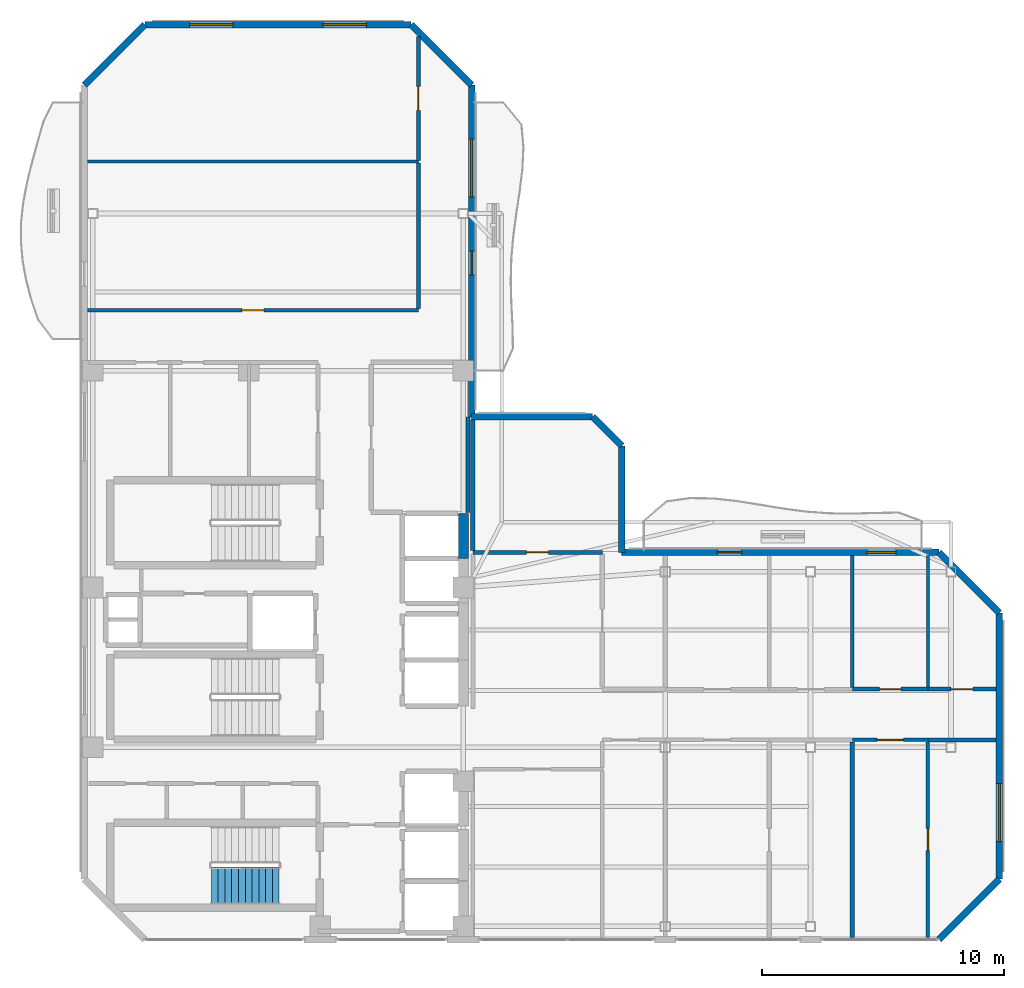
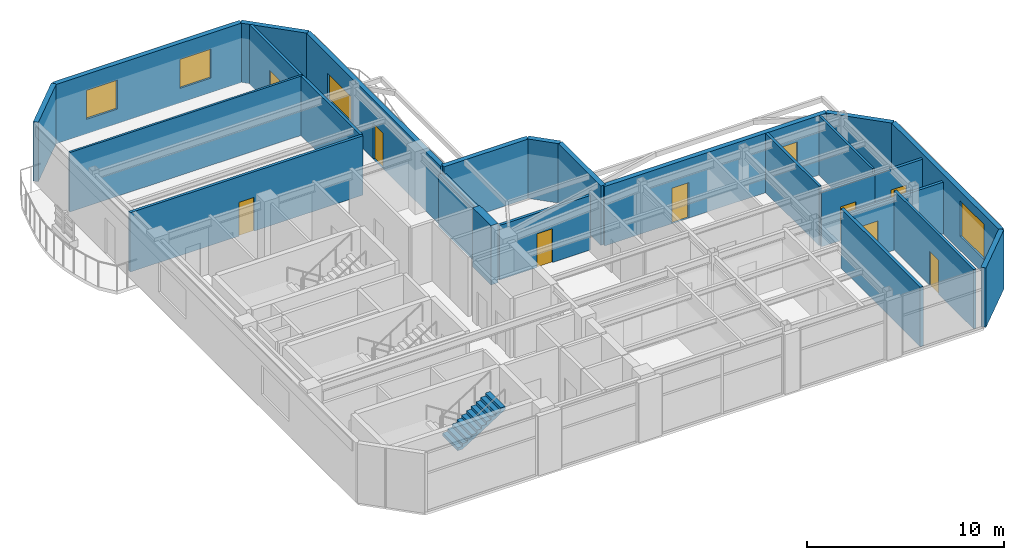
# One storey, part 11 of 15: 27 walls, 9 doors, 5 windows, 1 stair flight, 14 openings, 1 element without a shape of its own.
"""IFC4 building model written with IfcOpenShell, lengths in metres."""

from ifc_helpers import new_model, si_unit, direction, frame, frame_2d, origin, place, context, subcontext, project, spatial, polyline, rectangle, outline, extrude, material, layer, layer_set, type_object, element, fill, aggregate, save


model = new_model("IFC4")

# Units and contexts
model_context = context("Model", 3, precision=1e-05, world=origin(), true_north=direction((0.0, 1.0)))
body_context = subcontext(model_context, "Body", "Model", "MODEL_VIEW")
ifc_project = project(units=[si_unit("LENGTHUNIT", "METRE"), si_unit("AREAUNIT", "SQUARE_METRE"), si_unit("VOLUMEUNIT", "CUBIC_METRE"), si_unit("PLANEANGLEUNIT", "RADIAN"), si_unit("MASSUNIT", "GRAM", prefix="KILO")], contexts=[model_context])

# Site, building, storey
site_placement = place(None, origin())
site = spatial("IfcSite", under=ifc_project, at=site_placement, CompositionType="ELEMENT")
building_placement = place(site_placement, origin())
building = spatial("IfcBuilding", under=site, at=building_placement, Name="Mawjaban Terraces University", CompositionType="ELEMENT")
storey_placement = place(building_placement, frame((0.0, 0.0, 279.39990234375)))
storey = spatial("IfcBuildingStorey", under=building, at=storey_placement, Name="L68", CompositionType="ELEMENT", Elevation=279.39990234375)

# Walls
ifc_material_1 = material(Name="Acoustic masonry blockwork", Category="masonry")
ifc_layer_1 = layer(ifc_material_1, 0.179931640625)
ifc_layer_set_1 = layer_set([ifc_layer_1], Name="Acoustic masonry blockwork")
wall_type_1 = type_object("IfcWallType", Name="AcousticStudioWall_180", PredefinedType="PARTITIONING", material=ifc_layer_set_1)
wall_1_placement = place(storey_placement, frame((37.85009765625, 17.64990234375, 0.0), z_axis=(0.0, 0.0, 1.0), x_axis=(0.0, 1.0, 0.0)))
element("IfcWall", 1, at=wall_1_placement, inside=storey, type_object=wall_type_1, Name="L68 Graduate Research Collaboration Studio Partition 37", PredefinedType="PARTITIONING", context=body_context, shape_type="SweptSolid", body=[
    extrude(rectangle(XDim=3.9501953125, YDim=0.179931640625, at=frame_2d((1.97509765625, 0.0))), origin(), (0.0, 0.0, 1.0), 3.22119140625),
])
wall_2_placement = place(storey_placement, frame((38.050048828125, 21.468017578125, 0.0), z_axis=(0.0, 0.0, 1.0), x_axis=(0.0, -1.0, 0.0)))
element("IfcWall", 2, at=wall_2_placement, inside=storey, type_object=wall_type_1, Name="L68 Terrace Collaborative Study Room Partition 40", PredefinedType="PARTITIONING", context=body_context, shape_type="SweptSolid", body=[
    extrude(rectangle(XDim=5.39306640625, YDim=0.179931640625, at=frame_2d((2.696533203125, 0.0))), origin(), (0.0, 0.0, 1.0), 3.22119140625),
])
wall_3_placement = place(storey_placement, frame((53.72998046875, 0.090087890625, 0.0), z_axis=(0.0, 0.0, 1.0), x_axis=(0.0, 1.0, 0.0)))
element("IfcWall", 3, at=wall_3_placement, inside=storey, type_object=wall_type_1, Name="L68 Design Studio 6 Partition 48", PredefinedType="PARTITIONING", context=body_context, shape_type="SweptSolid", body=[
    extrude(rectangle(XDim=8.074951171875, YDim=0.179931640625, at=frame_2d((4.03759765625, 0.0))), origin(), (0.0, 0.0, 1.0), 3.690185546875),
])
ifc_material_2 = material(Name="Concrete C50/60", Category="concrete")
ifc_layer_2 = layer(ifc_material_2, 0.419921875)
ifc_layer_set_2 = layer_set([ifc_layer_2], Name="Concrete C50/60")
wall_type_2 = type_object("IfcWallType", Name="CoreShearWall_420", PredefinedType="SHEAR", material=ifc_layer_set_2)
wall_4_placement = place(storey_placement, frame((37.659912109375, 15.75, 0.0), z_axis=(0.0, 0.0, 1.0), x_axis=(0.0, 1.0, 0.0)))
element("IfcWall", 4, at=wall_4_placement, inside=storey, type_object=wall_type_2, Name="L68 Lift OL-2 Hoistway Wall East", PredefinedType="SHEAR", context=body_context, shape_type="SweptSolid", body=[
    extrude(rectangle(XDim=1.85009765625, YDim=0.419921875, at=frame_2d((0.925048828125, 0.0))), origin(), (0.0, 0.0, 1.0), 3.690185546875),
])

# Wall, opening, door
ifc_material_3 = material(Name="Fire-rated gypsum board on steel stud", Category="steel")
ifc_layer_3 = layer(ifc_material_3, 0.159912109375)
ifc_layer_set_3 = layer_set([ifc_layer_3], Name="Fire-rated gypsum board on steel stud")
wall_type_3 = type_object("IfcWallType", Name="CorridorPartition_160", PredefinedType="PARTITIONING", material=ifc_layer_set_3)
wall_5_placement = place(storey_placement, frame((35.800048828125, 26.0, 0.0), z_axis=(0.0, 0.0, 1.0), x_axis=(-1.0, 0.0, 0.0)))
wall_5 = element("IfcWall", 5, at=wall_5_placement, inside=storey, type_object=wall_type_3, Name="L68 North Core Cross-Corridor Partition 12", PredefinedType="PARTITIONING", context=body_context, shape_type="SweptSolid", body=[
    extrude(rectangle(XDim=13.6669921875, YDim=0.159912109375, at=frame_2d((6.83349609375, 0.0))), origin(), (0.0, 0.0, 1.0), 3.690185546875),
])
opening_1_placement = place(wall_5_placement, frame((6.383056640625, 0.0, 0.0)))
opening_1 = element("IfcOpeningElement", 6, at=opening_1_placement, cuts=wall_5, Name="Opening ID-090", PredefinedType="OPENING", context=body_context, shape_type="SweptSolid", body=[
    extrude(rectangle(XDim=0.89990234375, YDim=2.10009765625, at=frame_2d((0.449951171875, 1.050048828125))), frame((0.0, 0.08984375, 0.0), z_axis=(0.0, -1.0, 0.0), x_axis=(1.0, 0.0, 0.0)), (0.0, 0.0, 1.0), 0.179931640625),
])
ifc_material_4 = material(Name="Powder-coated steel frame and solid acoustic timber leaf", Category="steel")
door_type_1 = type_object("IfcDoorType", Name="OfficeDoor_900x2100", OperationType="NOTDEFINED", PredefinedType="DOOR", material=ifc_material_4)
door_1_placement = place(opening_1_placement, origin())
door_1 = element("IfcDoor", 7, at=door_1_placement, inside=storey, type_object=door_type_1, Name="L68 Departmental Office 12 Door", OperationType="SINGLE_SWING_LEFT", OverallHeight=2.10009765625, OverallWidth=0.89990234375, PredefinedType="DOOR", context=body_context, shape_type="SweptSolid", body=[
    extrude(rectangle(XDim=0.89990234375, YDim=2.10009765625, at=frame_2d((0.449951171875, 1.050048828125))), frame((0.0, 0.02490234375, 0.0), z_axis=(0.0, -1.0, 0.0), x_axis=(1.0, 0.0, 0.0)), (0.0, 0.0, 1.0), 0.050048828125),
])
fill(opening_1, door_1)

wall_6_placement = place(storey_placement, frame((43.39990234375, 16.0, 0.0), z_axis=(0.0, 0.0, 1.0), x_axis=(-1.0, 0.0, 0.0)))
wall_6 = element("IfcWall", 8, at=wall_6_placement, inside=storey, type_object=wall_type_3, Name="L68 Upper Research Hub Concourse Partition 17", PredefinedType="PARTITIONING", context=body_context, shape_type="SweptSolid", body=[
    extrude(rectangle(XDim=5.349853515625, YDim=0.159912109375, at=frame_2d((2.6748046875, 0.0))), origin(), (0.0, 0.0, 1.0), 3.39013671875),
])
opening_2_placement = place(wall_6_placement, frame((2.22509765625, 0.0, 0.0)))
opening_2 = element("IfcOpeningElement", 9, at=opening_2_placement, cuts=wall_6, Name="Opening ID-090", PredefinedType="OPENING", context=body_context, shape_type="SweptSolid", body=[
    extrude(rectangle(XDim=0.89990234375, YDim=2.10009765625, at=frame_2d((0.449951171875, 1.050048828125))), frame((0.0, 0.08984375, 0.0), z_axis=(0.0, -1.0, 0.0), x_axis=(1.0, 0.0, 0.0)), (0.0, 0.0, 1.0), 0.179931640625),
])
door_2_placement = place(opening_2_placement, origin())
door_2 = element("IfcDoor", 10, at=door_2_placement, inside=storey, type_object=door_type_1, Name="L68 Terrace Collaborative Study Room Door", OperationType="SINGLE_SWING_LEFT", OverallHeight=2.10009765625, OverallWidth=0.89990234375, PredefinedType="DOOR", context=body_context, shape_type="SweptSolid", body=[
    extrude(rectangle(XDim=0.89990234375, YDim=2.10009765625, at=frame_2d((0.449951171875, 1.050048828125))), frame((0.0, 0.02490234375, 0.0), z_axis=(0.0, -1.0, 0.0), x_axis=(1.0, 0.0, 0.0)), (0.0, 0.0, 1.0), 0.050048828125),
])
fill(opening_2, door_2)

# Wall
wall_7_placement = place(storey_placement, frame((56.85009765625, 8.25, 0.0), z_axis=(0.0, 0.0, 1.0), x_axis=(1.0, 0.0, 0.0)))
element("IfcWall", 11, at=wall_7_placement, inside=storey, type_object=wall_type_3, Name="L68 Upper East Research Corridor Partition 24", PredefinedType="PARTITIONING", context=body_context, shape_type="SweptSolid", body=[
    extrude(rectangle(XDim=2.81689453125, YDim=0.159912109375, at=frame_2d((1.408447265625, 0.0))), origin(), (0.0, 0.0, 1.0), 3.22119140625),
])

# Wall, opening, door
wall_8_placement = place(storey_placement, frame((56.85009765625, 10.35009765625, 0.0), z_axis=(0.0, 0.0, 1.0), x_axis=(-1.0, 0.0, 0.0)))
wall_8 = element("IfcWall", 12, at=wall_8_placement, inside=storey, type_object=wall_type_3, Name="L68 Upper East Research Corridor Partition 25", PredefinedType="PARTITIONING", context=body_context, shape_type="SweptSolid", body=[
    extrude(rectangle(XDim=3.1201171875, YDim=0.159912109375, at=frame_2d((1.56005859375, 0.0))), origin(), (0.0, 0.0, 1.0), 3.3720703125),
])
opening_3_placement = place(wall_8_placement, frame((1.110107421875, 0.0, 0.0)))
opening_3 = element("IfcOpeningElement", 13, at=opening_3_placement, cuts=wall_8, Name="Opening ID-090", PredefinedType="OPENING", context=body_context, shape_type="SweptSolid", body=[
    extrude(rectangle(XDim=0.89990234375, YDim=2.10009765625, at=frame_2d((0.449951171875, 1.050048828125))), frame((0.0, 0.08984375, 0.0), z_axis=(0.0, -1.0, 0.0), x_axis=(1.0, 0.0, 0.0)), (0.0, 0.0, 1.0), 0.179931640625),
])
door_3_placement = place(opening_3_placement, origin())
door_3 = element("IfcDoor", 14, at=door_3_placement, inside=storey, type_object=door_type_1, Name="L68 Student Tea Pantry 9 Door", OperationType="SINGLE_SWING_RIGHT", OverallHeight=2.10009765625, OverallWidth=0.89990234375, PredefinedType="DOOR", context=body_context, shape_type="SweptSolid", body=[
    extrude(rectangle(XDim=0.89990234375, YDim=2.10009765625, at=frame_2d((0.449951171875, 1.050048828125))), frame((0.0, 0.02490234375, 0.0), z_axis=(0.0, -1.0, 0.0), x_axis=(1.0, 0.0, 0.0)), (0.0, 0.0, 1.0), 0.050048828125),
])
fill(opening_3, door_3)

wall_9_placement = place(storey_placement, frame((59.6669921875, 10.35009765625, 0.0), z_axis=(0.0, 0.0, 1.0), x_axis=(-1.0, 0.0, 0.0)))
wall_9 = element("IfcWall", 15, at=wall_9_placement, inside=storey, type_object=wall_type_3, Name="L68 Upper East Research Corridor Partition 26", PredefinedType="PARTITIONING", context=body_context, shape_type="SweptSolid", body=[
    extrude(rectangle(XDim=2.81689453125, YDim=0.159912109375, at=frame_2d((1.408447265625, 0.0))), origin(), (0.0, 0.0, 1.0), 3.3720703125),
])
opening_4_placement = place(wall_9_placement, frame((0.958984375, 0.0, 0.0)))
opening_4 = element("IfcOpeningElement", 16, at=opening_4_placement, cuts=wall_9, Name="Opening ID-090", PredefinedType="OPENING", context=body_context, shape_type="SweptSolid", body=[
    extrude(rectangle(XDim=0.89990234375, YDim=2.10009765625, at=frame_2d((0.449951171875, 1.050048828125))), frame((0.0, 0.08984375, 0.0), z_axis=(0.0, -1.0, 0.0), x_axis=(1.0, 0.0, 0.0)), (0.0, 0.0, 1.0), 0.179931640625),
])
door_4_placement = place(opening_4_placement, origin())
door_4 = element("IfcDoor", 17, at=door_4_placement, inside=storey, type_object=door_type_1, Name="L68 Faculty Office 11 Door", OperationType="SINGLE_SWING_RIGHT", OverallHeight=2.10009765625, OverallWidth=0.89990234375, PredefinedType="DOOR", context=body_context, shape_type="SweptSolid", body=[
    extrude(rectangle(XDim=0.89990234375, YDim=2.10009765625, at=frame_2d((0.449951171875, 1.050048828125))), frame((0.0, 0.02490234375, 0.0), z_axis=(0.0, -1.0, 0.0), x_axis=(1.0, 0.0, 0.0)), (0.0, 0.0, 1.0), 0.050048828125),
])
fill(opening_4, door_4)

# Wall
wall_10_placement = place(storey_placement, frame((35.800048828125, 32.0830078125, 0.0), z_axis=(0.0, 0.0, 1.0), x_axis=(0.0, -1.0, 0.0)))
element("IfcWall", 18, at=wall_10_placement, inside=storey, type_object=wall_type_3, Name="L68 Upper North Research Gallery Partition 35", PredefinedType="PARTITIONING", context=body_context, shape_type="SweptSolid", body=[
    extrude(rectangle(XDim=6.008056640625, YDim=0.159912109375, at=frame_2d((3.00390625, 0.0))), origin(), (0.0, 0.0, 1.0), 3.690185546875),
])

# Wall, opening, door
wall_11_placement = place(storey_placement, frame((35.800048828125, 37.31298828125, 0.0), z_axis=(0.0, 0.0, 1.0), x_axis=(0.0, -1.0, 0.0)))
wall_11 = element("IfcWall", 19, at=wall_11_placement, inside=storey, type_object=wall_type_3, Name="L68 Upper North Research Gallery Partition 36", PredefinedType="PARTITIONING", context=body_context, shape_type="SweptSolid", body=[
    extrude(rectangle(XDim=5.115966796875, YDim=0.159912109375, at=frame_2d((2.55810546875, 0.0))), origin(), (0.0, 0.0, 1.0), 3.690185546875),
])
opening_5_placement = place(wall_11_placement, frame((2.05810546875, 0.0, 0.0)))
opening_5 = element("IfcOpeningElement", 20, at=opening_5_placement, cuts=wall_11, Name="Opening ID-100", PredefinedType="OPENING", context=body_context, shape_type="SweptSolid", body=[
    extrude(rectangle(XDim=1.0, YDim=2.10009765625, at=frame_2d((0.5, 1.050048828125))), frame((0.0, 0.08984375, 0.0), z_axis=(0.0, -1.0, 0.0), x_axis=(1.0, 0.0, 0.0)), (0.0, 0.0, 1.0), 0.179931640625),
])
door_type_2 = type_object("IfcDoorType", Name="ClassroomDoor_1000x2100", OperationType="NOTDEFINED", PredefinedType="DOOR", material=ifc_material_4)
door_5_placement = place(opening_5_placement, origin())
door_5 = element("IfcDoor", 21, at=door_5_placement, inside=storey, type_object=door_type_2, Name="L68 Classroom 13 Door", OperationType="SINGLE_SWING_RIGHT", OverallHeight=2.10009765625, OverallWidth=1.0, PredefinedType="DOOR", context=body_context, shape_type="SweptSolid", body=[
    extrude(rectangle(XDim=1.0, YDim=2.10009765625, at=frame_2d((0.5, 1.050048828125))), frame((0.0, 0.02490234375, 0.0), z_axis=(0.0, -1.0, 0.0), x_axis=(1.0, 0.0, 0.0)), (0.0, 0.0, 1.0), 0.050048828125),
])
fill(opening_5, door_5)

# Wall
ifc_material_5 = material(Name="Insulated terracotta rainscreen on concrete backup C40/50", Category="masonry")
ifc_layer_4 = layer(ifc_material_5, 0.27490234375)
ifc_layer_set_4 = layer_set([ifc_layer_4], Name="Insulated terracotta rainscreen on concrete backup C40/50")
wall_type_4 = type_object("IfcWallType", Name="ExtTerracottaWall_275", PredefinedType="SOLIDWALL", material=ifc_layer_set_4)
wall_12_placement = place(storey_placement, frame((57.300048828125, 0.0, 0.0), z_axis=(0.0, 0.0, 1.0), x_axis=(0.707106781187, 0.707106781187, 0.0)))
element("IfcWall", 22, at=wall_12_placement, inside=storey, type_object=wall_type_4, Name="L68 Exterior Terracotta Wall 2", PredefinedType="SOLIDWALL", context=body_context, shape_type="SweptSolid", body=[
    extrude(rectangle(XDim=3.53564453125, YDim=0.27490234375, at=frame_2d((1.767822265625, 0.0))), origin(), (0.0, 0.0, 1.0), 3.690185546875),
])

# Wall, opening, window
wall_13_placement = place(storey_placement, frame((59.800048828125, 2.5, 0.0), z_axis=(0.0, 0.0, 1.0), x_axis=(0.0, 1.0, 0.0)))
wall_13 = element("IfcWall", 23, at=wall_13_placement, inside=storey, type_object=wall_type_4, Name="L68 Exterior Terracotta Wall 3", PredefinedType="SOLIDWALL", context=body_context, shape_type="SweptSolid", body=[
    extrude(rectangle(XDim=11.0, YDim=0.27490234375, at=frame_2d((5.5, 0.0))), origin(), (0.0, 0.0, 1.0), 3.690185546875),
])
opening_6_placement = place(wall_13_placement, frame((1.550048828125, 0.0, 0.89990234375)))
opening_6 = element("IfcOpeningElement", 24, at=opening_6_placement, cuts=wall_13, Name="Opening W-11", PredefinedType="OPENING", context=body_context, shape_type="SweptSolid", body=[
    extrude(rectangle(XDim=2.39990234375, YDim=2.199951171875, at=frame_2d((1.199951171875, 1.10009765625))), frame((0.0, 0.1474609375, 0.0), z_axis=(0.0, -1.0, 0.0), x_axis=(1.0, 0.0, 0.0)), (0.0, 0.0, 1.0), 0.294921875),
])
ifc_material_6 = material(Name="Low-E solar-control double glazing in thermally broken aluminium frame", Category="aluminium")
window_type_1 = type_object("IfcWindowType", Name="Win_2400x2200", PartitioningType="SINGLE_PANEL", PredefinedType="WINDOW", material=ifc_material_6)
window_1_placement = place(opening_6_placement, origin())
window_1 = element("IfcWindow", 25, at=window_1_placement, inside=storey, type_object=window_type_1, Name="L68 Facade Window 3.1", OverallHeight=2.199951171875, OverallWidth=2.39990234375, PartitioningType="SINGLE_PANEL", PredefinedType="WINDOW", context=body_context, shape_type="SweptSolid", body=[
    extrude(rectangle(XDim=2.39990234375, YDim=2.199951171875, at=frame_2d((1.199951171875, 1.10009765625))), frame((0.0, 0.030029296875, 0.0), z_axis=(0.0, -1.0, 0.0), x_axis=(1.0, 0.0, 0.0)), (0.0, 0.0, 1.0), 0.06005859375),
])
fill(opening_6, window_1)

# Wall
wall_14_placement = place(storey_placement, frame((59.800048828125, 13.5, 0.0), z_axis=(0.0, 0.0, 1.0), x_axis=(-0.707106781187, 0.707106781187, 0.0)))
element("IfcWall", 26, at=wall_14_placement, inside=storey, type_object=wall_type_4, Name="L68 Exterior Terracotta Wall 4", PredefinedType="SOLIDWALL", context=body_context, shape_type="SweptSolid", body=[
    extrude(rectangle(XDim=3.53564453125, YDim=0.27490234375, at=frame_2d((1.767822265625, 0.0))), origin(), (0.0, 0.0, 1.0), 3.690185546875),
])

# Wall, openings, door, window
wall_15_placement = place(storey_placement, frame((57.300048828125, 16.0, 0.0), z_axis=(0.0, 0.0, 1.0), x_axis=(-1.0, 0.0, 0.0)))
wall_15 = element("IfcWall", 27, at=wall_15_placement, inside=storey, type_object=wall_type_4, Name="L68 Exterior Terracotta Wall 5", PredefinedType="SOLIDWALL", context=body_context, shape_type="SweptSolid", body=[
    extrude(rectangle(XDim=13.10009765625, YDim=0.27490234375, at=frame_2d((6.550048828125, 0.0))), origin(), (0.0, 0.0, 1.0), 3.690185546875),
])
opening_7_placement = place(wall_15_placement, frame((8.14990234375, 0.0, 0.0)))
opening_7 = element("IfcOpeningElement", 28, at=opening_7_placement, cuts=wall_15, Name="Opening BD-100", PredefinedType="OPENING", context=body_context, shape_type="SweptSolid", body=[
    extrude(rectangle(XDim=1.0, YDim=2.199951171875, at=frame_2d((0.5, 1.10009765625))), frame((0.0, 0.1474609375, 0.0), z_axis=(0.0, -1.0, 0.0), x_axis=(1.0, 0.0, 0.0)), (0.0, 0.0, 1.0), 0.294921875),
])
opening_8_placement = place(wall_15_placement, frame((1.77490234375, 0.0, 0.89990234375)))
opening_8 = element("IfcOpeningElement", 29, at=opening_8_placement, cuts=wall_15, Name="Opening W-01", PredefinedType="OPENING", context=body_context, shape_type="SweptSolid", body=[
    extrude(rectangle(XDim=1.199951171875, YDim=1.60009765625, at=frame_2d((0.60009765625, 0.800048828125))), frame((0.0, 0.1474609375, 0.0), z_axis=(0.0, -1.0, 0.0), x_axis=(1.0, 0.0, 0.0)), (0.0, 0.0, 1.0), 0.294921875),
])
ifc_material_7 = material(Name="Thermally broken anodised aluminium and laminated safety glass", Category="aluminium")
door_type_3 = type_object("IfcDoorType", Name="BalconyGlazedDoor_1000x2200", OperationType="NOTDEFINED", PredefinedType="DOOR", material=ifc_material_7)
door_6_placement = place(opening_7_placement, origin())
door_6 = element("IfcDoor", 30, at=door_6_placement, inside=storey, type_object=door_type_3, Name="L68 Balcony Access Door inner_north", OperationType="SINGLE_SWING_LEFT", OverallHeight=2.199951171875, OverallWidth=1.0, PredefinedType="DOOR", context=body_context, shape_type="SweptSolid", body=[
    extrude(rectangle(XDim=1.0, YDim=2.199951171875, at=frame_2d((0.5, 1.10009765625))), frame((0.0, 0.02490234375, 0.0), z_axis=(0.0, -1.0, 0.0), x_axis=(1.0, 0.0, 0.0)), (0.0, 0.0, 1.0), 0.050048828125),
])
fill(opening_7, door_6)
window_type_2 = type_object("IfcWindowType", Name="Win_1200x1600", PartitioningType="SINGLE_PANEL", PredefinedType="WINDOW", material=ifc_material_6)
window_2_placement = place(opening_8_placement, origin())
window_2 = element("IfcWindow", 31, at=window_2_placement, inside=storey, type_object=window_type_2, Name="L68 Facade Window 5.1", OverallHeight=1.60009765625, OverallWidth=1.199951171875, PartitioningType="SINGLE_PANEL", PredefinedType="WINDOW", context=body_context, shape_type="SweptSolid", body=[
    extrude(rectangle(XDim=1.199951171875, YDim=1.60009765625, at=frame_2d((0.60009765625, 0.800048828125))), frame((0.0, 0.030029296875, 0.0), z_axis=(0.0, -1.0, 0.0), x_axis=(1.0, 0.0, 0.0)), (0.0, 0.0, 1.0), 0.06005859375),
])
fill(opening_8, window_2)

# Walls
wall_16_placement = place(storey_placement, frame((44.199951171875, 16.0, 0.0), z_axis=(0.0, 0.0, 1.0), x_axis=(0.0, 1.0, 0.0)))
element("IfcWall", 32, at=wall_16_placement, inside=storey, type_object=wall_type_4, Name="L68 Exterior Terracotta Wall 6", PredefinedType="SOLIDWALL", context=body_context, shape_type="SweptSolid", body=[
    extrude(rectangle(XDim=4.39990234375, YDim=0.27490234375, at=frame_2d((2.199951171875, 0.0))), origin(), (0.0, 0.0, 1.0), 3.690185546875),
])
wall_17_placement = place(storey_placement, frame((44.199951171875, 20.39990234375, 0.0), z_axis=(0.0, 0.0, 1.0), x_axis=(-0.707034851297, 0.707178703759, 0.0)))
element("IfcWall", 33, at=wall_17_placement, inside=storey, type_object=wall_type_4, Name="L68 Exterior Terracotta Wall 7", PredefinedType="SOLIDWALL", context=body_context, shape_type="SweptSolid", body=[
    extrude(rectangle(XDim=1.697265625, YDim=0.27490234375, at=frame_2d((0.8486328125, 0.0))), origin(), (0.0, 0.0, 1.0), 3.690185546875),
])
wall_18_placement = place(storey_placement, frame((43.0, 21.60009765625, 0.0), z_axis=(0.0, 0.0, 1.0), x_axis=(-1.0, 0.0, 0.0)))
element("IfcWall", 34, at=wall_18_placement, inside=storey, type_object=wall_type_4, Name="L68 Exterior Terracotta Wall 8", PredefinedType="SOLIDWALL", context=body_context, shape_type="SweptSolid", body=[
    extrude(rectangle(XDim=5.0, YDim=0.27490234375, at=frame_2d((2.5, 0.0))), origin(), (0.0, 0.0, 1.0), 3.690185546875),
])

# Wall, openings, door, window
wall_19_placement = place(storey_placement, frame((38.0, 21.60009765625, 0.0), z_axis=(0.0, 0.0, 1.0), x_axis=(0.0, 1.0, 0.0)))
wall_19 = element("IfcWall", 35, at=wall_19_placement, inside=storey, type_object=wall_type_4, Name="L68 Exterior Terracotta Wall 9", PredefinedType="SOLIDWALL", context=body_context, shape_type="SweptSolid", body=[
    extrude(rectangle(XDim=13.699951171875, YDim=0.27490234375, at=frame_2d((6.85009765625, 0.0))), origin(), (0.0, 0.0, 1.0), 3.690185546875),
])
opening_9_placement = place(wall_19_placement, frame((5.85009765625, 0.0, 0.0)))
opening_9 = element("IfcOpeningElement", 36, at=opening_9_placement, cuts=wall_19, Name="Opening BD-100", PredefinedType="OPENING", context=body_context, shape_type="SweptSolid", body=[
    extrude(rectangle(XDim=1.0, YDim=2.199951171875, at=frame_2d((0.5, 1.10009765625))), frame((0.0, 0.1474609375, 0.0), z_axis=(0.0, -1.0, 0.0), x_axis=(1.0, 0.0, 0.0)), (0.0, 0.0, 1.0), 0.294921875),
])
opening_10_placement = place(wall_19_placement, frame((9.074951171875, 0.0, 0.89990234375)))
opening_10 = element("IfcOpeningElement", 37, at=opening_10_placement, cuts=wall_19, Name="Opening W-05", PredefinedType="OPENING", context=body_context, shape_type="SweptSolid", body=[
    extrude(rectangle(XDim=2.39990234375, YDim=1.60009765625, at=frame_2d((1.199951171875, 0.800048828125))), frame((0.0, 0.1474609375, 0.0), z_axis=(0.0, -1.0, 0.0), x_axis=(1.0, 0.0, 0.0)), (0.0, 0.0, 1.0), 0.294921875),
])
door_7_placement = place(opening_9_placement, origin())
door_7 = element("IfcDoor", 38, at=door_7_placement, inside=storey, type_object=door_type_3, Name="L68 Balcony Access Door inner_east", OperationType="SINGLE_SWING_LEFT", OverallHeight=2.199951171875, OverallWidth=1.0, PredefinedType="DOOR", context=body_context, shape_type="SweptSolid", body=[
    extrude(rectangle(XDim=1.0, YDim=2.199951171875, at=frame_2d((0.5, 1.10009765625))), frame((0.0, 0.02490234375, 0.0), z_axis=(0.0, -1.0, 0.0), x_axis=(1.0, 0.0, 0.0)), (0.0, 0.0, 1.0), 0.050048828125),
])
fill(opening_9, door_7)
window_type_3 = type_object("IfcWindowType", Name="Win_2400x1600", PartitioningType="SINGLE_PANEL", PredefinedType="WINDOW", material=ifc_material_6)
window_3_placement = place(opening_10_placement, origin())
window_3 = element("IfcWindow", 39, at=window_3_placement, inside=storey, type_object=window_type_3, Name="L68 Facade Window 9.2", OverallHeight=1.60009765625, OverallWidth=2.39990234375, PartitioningType="SINGLE_PANEL", PredefinedType="WINDOW", context=body_context, shape_type="SweptSolid", body=[
    extrude(rectangle(XDim=2.39990234375, YDim=1.60009765625, at=frame_2d((1.199951171875, 0.800048828125))), frame((0.0, 0.030029296875, 0.0), z_axis=(0.0, -1.0, 0.0), x_axis=(1.0, 0.0, 0.0)), (0.0, 0.0, 1.0), 0.06005859375),
])
fill(opening_10, window_3)

# Wall
wall_20_placement = place(storey_placement, frame((38.0, 35.300048828125, 0.0), z_axis=(0.0, 0.0, 1.0), x_axis=(-0.707106781187, 0.707106781187, 0.0)))
element("IfcWall", 40, at=wall_20_placement, inside=storey, type_object=wall_type_4, Name="L68 Exterior Terracotta Wall 10", PredefinedType="SOLIDWALL", context=body_context, shape_type="SweptSolid", body=[
    extrude(rectangle(XDim=3.53564453125, YDim=0.27490234375, at=frame_2d((1.767822265625, 0.0))), origin(), (0.0, 0.0, 1.0), 3.690185546875),
])

# Wall, openings, windows
wall_21_placement = place(storey_placement, frame((35.5, 37.800048828125, 0.0), z_axis=(0.0, 0.0, 1.0), x_axis=(-1.0, 0.0, 0.0)))
wall_21 = element("IfcWall", 41, at=wall_21_placement, inside=storey, type_object=wall_type_4, Name="L68 Exterior Terracotta Wall 11", PredefinedType="SOLIDWALL", context=body_context, shape_type="SweptSolid", body=[
    extrude(rectangle(XDim=11.0, YDim=0.27490234375, at=frame_2d((5.5, 0.0))), origin(), (0.0, 0.0, 1.0), 3.690185546875),
])
opening_11_placement = place(wall_21_placement, frame((1.85009765625, 0.0, 0.89990234375)))
opening_11 = element("IfcOpeningElement", 42, at=opening_11_placement, cuts=wall_21, Name="Opening W-07", PredefinedType="OPENING", context=body_context, shape_type="SweptSolid", body=[
    extrude(rectangle(XDim=1.800048828125, YDim=1.800048828125, at=frame_2d((0.89990234375, 0.89990234375))), frame((0.0, 0.1474609375, 0.0), z_axis=(0.0, -1.0, 0.0), x_axis=(1.0, 0.0, 0.0)), (0.0, 0.0, 1.0), 0.294921875),
])
opening_12_placement = place(wall_21_placement, frame((7.35009765625, 0.0, 0.89990234375)))
opening_12 = element("IfcOpeningElement", 43, at=opening_12_placement, cuts=wall_21, Name="Opening W-07", PredefinedType="OPENING", context=body_context, shape_type="SweptSolid", body=[
    extrude(rectangle(XDim=1.800048828125, YDim=1.800048828125, at=frame_2d((0.89990234375, 0.89990234375))), frame((0.0, 0.1474609375, 0.0), z_axis=(0.0, -1.0, 0.0), x_axis=(1.0, 0.0, 0.0)), (0.0, 0.0, 1.0), 0.294921875),
])
window_type_4 = type_object("IfcWindowType", Name="Win_1800x1800", PartitioningType="SINGLE_PANEL", PredefinedType="WINDOW", material=ifc_material_6)
window_4_placement = place(opening_11_placement, origin())
window_4 = element("IfcWindow", 44, at=window_4_placement, inside=storey, type_object=window_type_4, Name="L68 Facade Window 11.1", OverallHeight=1.800048828125, OverallWidth=1.800048828125, PartitioningType="SINGLE_PANEL", PredefinedType="WINDOW", context=body_context, shape_type="SweptSolid", body=[
    extrude(rectangle(XDim=1.800048828125, YDim=1.800048828125, at=frame_2d((0.89990234375, 0.89990234375))), frame((0.0, 0.030029296875, 0.0), z_axis=(0.0, -1.0, 0.0), x_axis=(1.0, 0.0, 0.0)), (0.0, 0.0, 1.0), 0.06005859375),
])
fill(opening_11, window_4)
window_5_placement = place(opening_12_placement, origin())
window_5 = element("IfcWindow", 45, at=window_5_placement, inside=storey, type_object=window_type_4, Name="L68 Facade Window 11.2", OverallHeight=1.800048828125, OverallWidth=1.800048828125, PartitioningType="SINGLE_PANEL", PredefinedType="WINDOW", context=body_context, shape_type="SweptSolid", body=[
    extrude(rectangle(XDim=1.800048828125, YDim=1.800048828125, at=frame_2d((0.89990234375, 0.89990234375))), frame((0.0, 0.030029296875, 0.0), z_axis=(0.0, -1.0, 0.0), x_axis=(1.0, 0.0, 0.0)), (0.0, 0.0, 1.0), 0.06005859375),
])
fill(opening_12, window_5)

# Wall
wall_22_placement = place(storey_placement, frame((24.5, 37.800048828125, 0.0), z_axis=(0.0, 0.0, 1.0), x_axis=(-0.707106781187, -0.707106781187, 0.0)))
element("IfcWall", 46, at=wall_22_placement, inside=storey, type_object=wall_type_4, Name="L68 Exterior Terracotta Wall 12", PredefinedType="SOLIDWALL", context=body_context, shape_type="SweptSolid", body=[
    extrude(rectangle(XDim=3.53564453125, YDim=0.27490234375, at=frame_2d((1.767822265625, 0.0))), origin(), (0.0, 0.0, 1.0), 3.690185546875),
])

# Wall, opening, door
ifc_material_8 = material(Name="Moisture-resistant gypsum board on steel stud", Category="steel")
ifc_layer_5 = layer(ifc_material_8, 0.14501953125)
ifc_layer_set_5 = layer_set([ifc_layer_5], Name="Moisture-resistant gypsum board on steel stud")
wall_type_5 = type_object("IfcWallType", Name="LabPartition_145", PredefinedType="PARTITIONING", material=ifc_layer_set_5)
wall_23_placement = place(storey_placement, frame((53.72998046875, 8.25, 0.0), z_axis=(0.0, 0.0, 1.0), x_axis=(1.0, 0.0, 0.0)))
wall_23 = element("IfcWall", 47, at=wall_23_placement, inside=storey, type_object=wall_type_5, Name="L68 Upper East Research Corridor Partition 22", PredefinedType="PARTITIONING", context=body_context, shape_type="SweptSolid", body=[
    extrude(rectangle(XDim=3.1201171875, YDim=0.14501953125, at=frame_2d((1.56005859375, 0.0))), origin(), (0.0, 0.0, 1.0), 3.22119140625),
])
opening_13_placement = place(wall_23_placement, frame((1.010009765625, 0.0, 0.0)))
opening_13 = element("IfcOpeningElement", 48, at=opening_13_placement, cuts=wall_23, Name="Opening ID-110", PredefinedType="OPENING", context=body_context, shape_type="SweptSolid", body=[
    extrude(rectangle(XDim=1.10009765625, YDim=2.14990234375, at=frame_2d((0.550048828125, 1.074951171875))), frame((0.0, 0.08251953125, 0.0), z_axis=(0.0, -1.0, 0.0), x_axis=(1.0, 0.0, 0.0)), (0.0, 0.0, 1.0), 0.1650390625),
])
door_type_4 = type_object("IfcDoorType", Name="LabDoor_1100x2150", OperationType="NOTDEFINED", PredefinedType="DOOR", material=ifc_material_4)
door_8_placement = place(opening_13_placement, origin())
door_8 = element("IfcDoor", 49, at=door_8_placement, inside=storey, type_object=door_type_4, Name="L68 Teaching Laboratory 8 Door", OperationType="SINGLE_SWING_LEFT", OverallHeight=2.14990234375, OverallWidth=1.10009765625, PredefinedType="DOOR", context=body_context, shape_type="SweptSolid", body=[
    extrude(rectangle(XDim=1.10009765625, YDim=2.14990234375, at=frame_2d((0.550048828125, 1.074951171875))), frame((0.0, 0.02490234375, 0.0), z_axis=(0.0, -1.0, 0.0), x_axis=(1.0, 0.0, 0.0)), (0.0, 0.0, 1.0), 0.050048828125),
])
fill(opening_13, door_8)

# Wall
wall_24_placement = place(storey_placement, frame((53.72998046875, 10.425048828125, 0.0), z_axis=(0.0, 0.0, 1.0), x_axis=(0.0, 1.0, 0.0)))
element("IfcWall", 50, at=wall_24_placement, inside=storey, type_object=wall_type_5, Name="L68 Computational Laboratory 7 Partition 49", PredefinedType="PARTITIONING", context=body_context, shape_type="SweptSolid", body=[
    extrude(rectangle(XDim=5.44189453125, YDim=0.14501953125, at=frame_2d((2.720947265625, 0.0))), origin(), (0.0, 0.0, 1.0), 3.690185546875),
])

# Wall, opening, door
wall_25_placement = place(storey_placement, frame((56.85009765625, 0.090087890625, 0.0), z_axis=(0.0, 0.0, 1.0), x_axis=(0.0, 1.0, 0.0)))
wall_25 = element("IfcWall", 51, at=wall_25_placement, inside=storey, type_object=wall_type_5, Name="L68 Teaching Laboratory 8 Partition 50", PredefinedType="PARTITIONING", context=body_context, shape_type="SweptSolid", body=[
    extrude(rectangle(XDim=8.0849609375, YDim=0.14501953125, at=frame_2d((4.04248046875, 0.0))), origin(), (0.0, 0.0, 1.0), 3.690185546875),
])
opening_14_placement = place(wall_25_placement, frame((3.593017578125, 0.0, 0.0)))
opening_14 = element("IfcOpeningElement", 52, at=opening_14_placement, cuts=wall_25, Name="Opening ID-090", PredefinedType="OPENING", context=body_context, shape_type="SweptSolid", body=[
    extrude(rectangle(XDim=0.89990234375, YDim=2.10009765625, at=frame_2d((0.449951171875, 1.050048828125))), frame((0.0, 0.08251953125, 0.0), z_axis=(0.0, -1.0, 0.0), x_axis=(1.0, 0.0, 0.0)), (0.0, 0.0, 1.0), 0.1650390625),
])
door_9_placement = place(opening_14_placement, origin())
door_9 = element("IfcDoor", 53, at=door_9_placement, inside=storey, type_object=door_type_1, Name="L68 Student Tea Pantry 10 Door", OperationType="SINGLE_SWING_LEFT", OverallHeight=2.10009765625, OverallWidth=0.89990234375, PredefinedType="DOOR", context=body_context, shape_type="SweptSolid", body=[
    extrude(rectangle(XDim=0.89990234375, YDim=2.10009765625, at=frame_2d((0.449951171875, 1.050048828125))), frame((0.0, 0.02490234375, 0.0), z_axis=(0.0, -1.0, 0.0), x_axis=(1.0, 0.0, 0.0)), (0.0, 0.0, 1.0), 0.050048828125),
])
fill(opening_14, door_9)

# Walls
ifc_material_9 = material(Name="Gypsum plasterboard on steel stud", Category="steel")
ifc_layer_6 = layer(ifc_material_9, 0.125)
ifc_layer_set_6 = layer_set([ifc_layer_6], Name="Gypsum plasterboard on steel stud")
wall_type_6 = type_object("IfcWallType", Name="OfficePartition_125", PredefinedType="PARTITIONING", material=ifc_layer_set_6)
wall_26_placement = place(storey_placement, frame((35.800048828125, 32.139892578125, 0.0), z_axis=(0.0, 0.0, 1.0), x_axis=(-1.0, 0.0, 0.0)))
element("IfcWall", 54, at=wall_26_placement, inside=storey, type_object=wall_type_6, Name="L68 Departmental Office 12 Partition 13", PredefinedType="PARTITIONING", context=body_context, shape_type="SweptSolid", body=[
    extrude(rectangle(XDim=13.6669921875, YDim=0.125, at=frame_2d((6.83349609375, 0.0))), origin(), (0.0, 0.0, 1.0), 3.690185546875),
])
wall_27_placement = place(storey_placement, frame((56.85009765625, 10.425048828125, 0.0), z_axis=(0.0, 0.0, 1.0), x_axis=(0.0, 1.0, 0.0)))
element("IfcWall", 55, at=wall_27_placement, inside=storey, type_object=wall_type_6, Name="L68 Student Tea Pantry 9 Partition 51", PredefinedType="PARTITIONING", context=body_context, shape_type="SweptSolid", body=[
    extrude(rectangle(XDim=5.44189453125, YDim=0.125, at=frame_2d((2.720947265625, 0.0))), origin(), (0.0, 0.0, 1.0), 3.690185546875),
])

# Stair, stair flight
ifc_material_10 = material(Name="Concrete C40/50", Category="concrete")
stair_type = type_object("IfcStairType", Name="Stair_Core1550_H39", PredefinedType="HALF_TURN_STAIR", material=ifc_material_10)
stair_placement = place(storey_placement, origin())
stair = element("IfcStair", 56, at=stair_placement, inside=storey, type_object=stair_type, Name="L68 Core Exit Stair 1", PredefinedType="HALF_TURN_STAIR")
stair_flight_type = type_object("IfcStairFlightType", Name="Flight_Core1550_H39", PredefinedType="STRAIGHT", material=ifc_material_10)
stair_flight_placement = place(storey_placement, frame((27.25, 2.22509765625, 1.9501953125), z_axis=(0.0, 0.0, 1.0), x_axis=(1.0, 0.0, 0.0)))
stair_flight = element("IfcStairFlight", 57, at=stair_flight_placement, type_object=stair_flight_type, Name="ST-1 flight 2", NumberOfRisers=11, NumberOfTreads=10, PredefinedType="STRAIGHT", RiserHeight=0.177272727, TreadLength=0.28, context=body_context, shape_type="SweptSolid", body=[
    extrude(outline(polyline([(0.0, 0.0), (0.0, 0.17724609375), (0.280029296875, 0.17724609375), (0.280029296875, 0.3544921875), (0.56005859375, 0.3544921875), (0.56005859375, 0.53173828125), (0.840087890625, 0.53173828125), (0.840087890625, 0.708984375), (1.1201171875, 0.708984375), (1.1201171875, 0.886474609375), (1.39990234375, 0.886474609375), (1.39990234375, 1.063720703125), (1.679931640625, 1.063720703125), (1.679931640625, 1.240966796875), (1.9599609375, 1.240966796875), (1.9599609375, 1.418212890625), (2.239990234375, 1.418212890625), (2.239990234375, 1.595458984375), (2.52001953125, 1.595458984375), (2.52001953125, 1.772705078125), (2.800048828125, 1.772705078125), (2.800048828125, 1.949951171875), (2.800048828125, 1.59521484375), (0.2802734375, 0.0), (0.0, 0.0)])), frame((0.0, 0.77490234375, 0.0), z_axis=(0.0, -1.0, 0.0), x_axis=(1.0, 0.0, 0.0)), (0.0, 0.0, 1.0), 1.550048828125),
])
aggregate(stair, [stair_flight])

save(model, "model.ifc")
